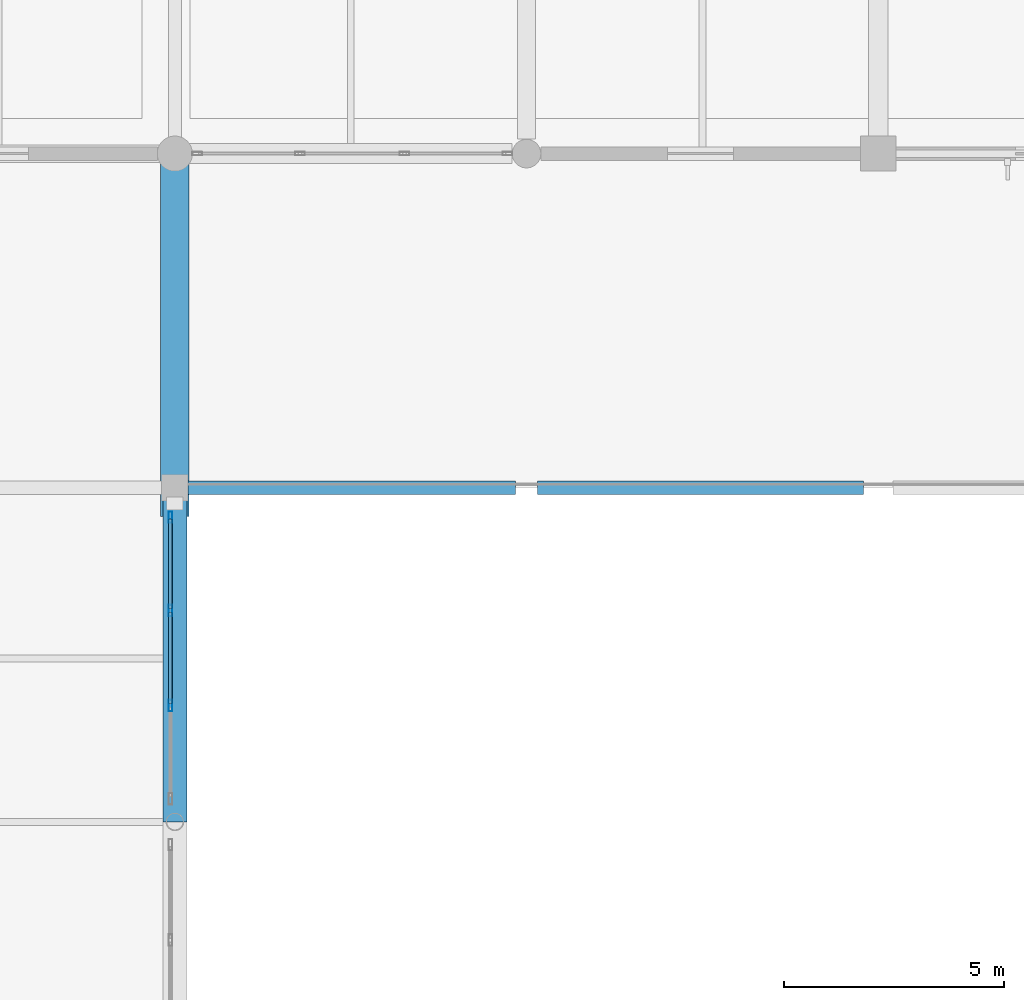
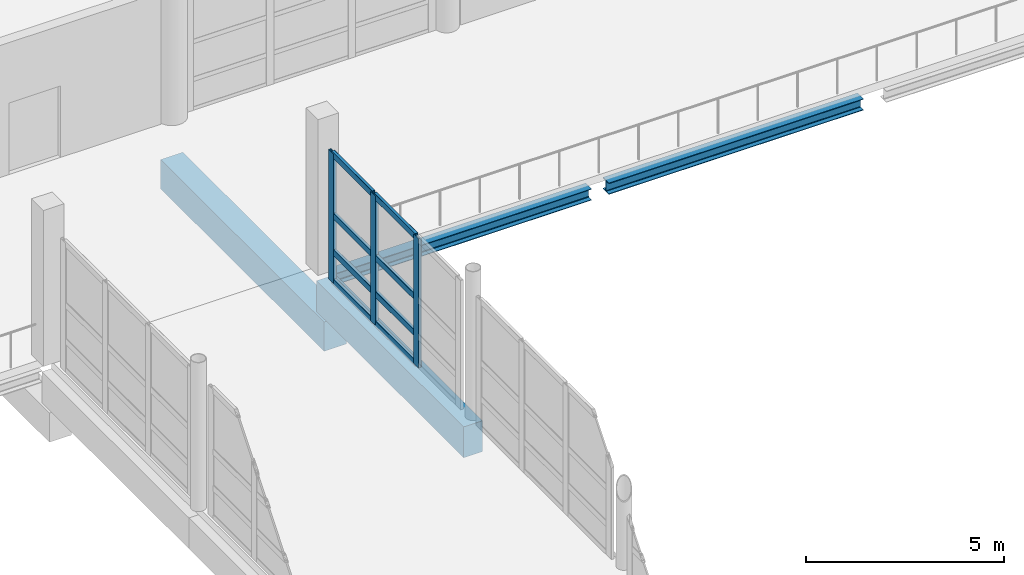
# One storey, part 39 of 141: 11 members, 4 beams, 1 element without a shape of its own.
"""IFC4 building model written with IfcOpenShell, lengths in metres."""

from ifc_helpers import new_model, si_unit, direction, frame, origin, origin_2d, place, context, subcontext, project, spatial, rectangle, hollow_rectangle, i_section, extrude, material, material_profile, profile_set, type_object, element, aggregate, save


model = new_model("IFC4")

# Units and contexts
model_context = context("Model", 3, precision=1e-05, world=origin(), true_north=direction((0.0, 1.0)))
body_context = subcontext(model_context, "Body", "Model", "MODEL_VIEW")
ifc_project = project(units=[si_unit("LENGTHUNIT", "METRE"), si_unit("AREAUNIT", "SQUARE_METRE"), si_unit("VOLUMEUNIT", "CUBIC_METRE"), si_unit("PLANEANGLEUNIT", "RADIAN"), si_unit("MASSUNIT", "GRAM", prefix="KILO")], contexts=[model_context])

# Site, building, storey
site_placement = place(None, origin())
site = spatial("IfcSite", under=ifc_project, at=site_placement, CompositionType="ELEMENT")
building_placement = place(site_placement, origin())
building = spatial("IfcBuilding", under=site, at=building_placement, Name="Khelvaren Railside Concert Hall", CompositionType="ELEMENT")
storey_placement = place(building_placement, frame((0.0, 0.0, 10.199951171875)))
storey = spatial("IfcBuildingStorey", under=building, at=storey_placement, Name="L02", CompositionType="ELEMENT", Elevation=10.199951171875)

# Beam
ifc_material_1 = material(Name="Concrete C40/50", Category="concrete")
ifc_material_profile_1 = material_profile(ifc_material_1, rectangle(XDim=0.64990234375, YDim=0.89990234375, at=origin_2d()), Name="RCB 650x900")
ifc_profile_set_1 = profile_set([ifc_material_profile_1], Name="Concrete C40/50")
beam_type_1 = type_object("IfcBeamType", Name="BM18", PredefinedType="BEAM", material=ifc_profile_set_1)
beam_1_placement = place(storey_placement, frame((16.0, 67.75, -1.659912109375), z_axis=(0.0, 1.0, 0.0), x_axis=(-1.0, 0.0, 0.0)))
element("IfcBeam", 1, at=beam_1_placement, inside=storey, type_object=beam_type_1, Name="West Court Chamber Link Bridge L02 Seismic Corbel Seat 2", PredefinedType="BEAM", context=body_context, shape_type="SweptSolid", body=[
    extrude(rectangle(XDim=0.64990234375, YDim=0.89990234375, at=origin_2d()), origin(), (0.0, 0.0, 1.0), 8.25),
])

# Curtain wall, members
ifc_material_2 = material(Name="Acoustic laminated crystal facade glass", Category="glass")
curtain_wall_type = type_object("IfcCurtainWallType", Name="CW78", PredefinedType="USERDEFINED", material=ifc_material_2)
curtain_wall_placement = place(storey_placement, origin())
curtain_wall = element("IfcCurtainWall", 2, at=curtain_wall_placement, inside=storey, type_object=curtain_wall_type, Name="Unitised Curtain Wall CW-LB3-L02-E3", ObjectType="UNITISED CURTAIN WALL", PredefinedType="USERDEFINED")
ifc_material_3 = material(Name="Anodised architectural aluminium 6063-T6", Category="aluminium")
ifc_material_profile_2 = material_profile(ifc_material_3, hollow_rectangle(XDim=0.0849609375, YDim=0.260009765625, WallThickness=0.0048828125, InnerFilletRadius=0.0029296875, OuterFilletRadius=0.0048828125, at=origin_2d()), Name="CWM 85x260x5")
ifc_profile_set_2 = profile_set([ifc_material_profile_2], Name="Anodised architectural aluminium 6063-T6")
member_type_1 = type_object("IfcMemberType", Name="CWM40", PredefinedType="MULLION", material=ifc_profile_set_2)
member_1_placement = place(storey_placement, frame((15.89990234375, 67.7275390625, 0.0), z_axis=(0.0, 0.0, 1.0), x_axis=(1.0, 0.0, 0.0)))
member_1 = element("IfcMember", 3, at=member_1_placement, type_object=member_type_1, Name="CW78 mullion 1", PredefinedType="MULLION", context=body_context, shape_type="SweptSolid", body=[
    extrude(hollow_rectangle(XDim=0.0849609375, YDim=0.260009765625, WallThickness=0.0048828125, InnerFilletRadius=0.0029296875, OuterFilletRadius=0.0048828125, at=origin_2d()), origin(), (0.0, 0.0, 1.0), 3.97998046875),
])
member_2_placement = place(storey_placement, frame((15.89990234375, 65.606689453125, 0.0), z_axis=(0.0, 0.0, 1.0), x_axis=(1.0, 0.0, 0.0)))
member_2 = element("IfcMember", 4, at=member_2_placement, type_object=member_type_1, Name="CW78 mullion 2", PredefinedType="MULLION", context=body_context, shape_type="SweptSolid", body=[
    extrude(hollow_rectangle(XDim=0.0849609375, YDim=0.260009765625, WallThickness=0.0048828125, InnerFilletRadius=0.0029296875, OuterFilletRadius=0.0048828125, at=origin_2d()), origin(), (0.0, 0.0, 1.0), 3.97998046875),
])
member_3_placement = place(storey_placement, frame((15.89990234375, 63.443359375, 0.0), z_axis=(0.0, 0.0, 1.0), x_axis=(1.0, 0.0, 0.0)))
member_3 = element("IfcMember", 5, at=member_3_placement, type_object=member_type_1, Name="CW78 mullion 3", PredefinedType="MULLION", context=body_context, shape_type="SweptSolid", body=[
    extrude(hollow_rectangle(XDim=0.0849609375, YDim=0.260009765625, WallThickness=0.0048828125, InnerFilletRadius=0.0029296875, OuterFilletRadius=0.0048828125, at=origin_2d()), origin(), (0.0, 0.0, 1.0), 3.97998046875),
])
ifc_material_profile_3 = material_profile(ifc_material_3, hollow_rectangle(XDim=0.0849609375, YDim=0.18994140625, WallThickness=0.0048828125, InnerFilletRadius=0.0029296875, OuterFilletRadius=0.0048828125, at=origin_2d()), Name="CWT 85x190x5")
ifc_profile_set_3 = profile_set([ifc_material_profile_3], Name="Anodised architectural aluminium 6063-T6")
member_type_2 = type_object("IfcMemberType", Name="CWT31", PredefinedType="USERDEFINED", material=ifc_profile_set_3)
member_4_placement = place(storey_placement, frame((15.89990234375, 67.68505859375, 0.04248046875), z_axis=(0.0, -1.0, 0.0), x_axis=(1.0, 0.0, 0.0)))
member_4 = element("IfcMember", 6, at=member_4_placement, type_object=member_type_2, Name="CW78 transom 1.1", ObjectType="TRANSOM", PredefinedType="USERDEFINED", context=body_context, shape_type="SweptSolid", body=[
    extrude(hollow_rectangle(XDim=0.0849609375, YDim=0.18994140625, WallThickness=0.0048828125, InnerFilletRadius=0.0029296875, OuterFilletRadius=0.0048828125, at=origin_2d()), origin(), (0.0, 0.0, 1.0), 2.035888671875),
])
member_5_placement = place(storey_placement, frame((15.89990234375, 67.68505859375, 0.949951171875), z_axis=(0.0, -1.0, 0.0), x_axis=(1.0, 0.0, 0.0)))
member_5 = element("IfcMember", 7, at=member_5_placement, type_object=member_type_2, Name="CW78 transom 1.2", ObjectType="TRANSOM", PredefinedType="USERDEFINED", context=body_context, shape_type="SweptSolid", body=[
    extrude(hollow_rectangle(XDim=0.0849609375, YDim=0.18994140625, WallThickness=0.0048828125, InnerFilletRadius=0.0029296875, OuterFilletRadius=0.0048828125, at=origin_2d()), origin(), (0.0, 0.0, 1.0), 2.035888671875),
])
member_6_placement = place(storey_placement, frame((15.89990234375, 67.68505859375, 2.069580078125), z_axis=(0.0, -1.0, 0.0), x_axis=(1.0, 0.0, 0.0)))
member_6 = element("IfcMember", 8, at=member_6_placement, type_object=member_type_2, Name="CW78 transom 1.3", ObjectType="TRANSOM", PredefinedType="USERDEFINED", context=body_context, shape_type="SweptSolid", body=[
    extrude(hollow_rectangle(XDim=0.0849609375, YDim=0.18994140625, WallThickness=0.0048828125, InnerFilletRadius=0.0029296875, OuterFilletRadius=0.0048828125, at=origin_2d()), origin(), (0.0, 0.0, 1.0), 2.035888671875),
])
member_7_placement = place(storey_placement, frame((15.89990234375, 67.68505859375, 3.9375), z_axis=(0.0, -1.0, 0.0), x_axis=(1.0, 0.0, 0.0)))
member_7 = element("IfcMember", 9, at=member_7_placement, type_object=member_type_2, Name="CW78 transom 1.4", ObjectType="TRANSOM", PredefinedType="USERDEFINED", context=body_context, shape_type="SweptSolid", body=[
    extrude(hollow_rectangle(XDim=0.0849609375, YDim=0.18994140625, WallThickness=0.0048828125, InnerFilletRadius=0.0029296875, OuterFilletRadius=0.0048828125, at=origin_2d()), origin(), (0.0, 0.0, 1.0), 2.035888671875),
])
member_8_placement = place(storey_placement, frame((15.89990234375, 65.564208984375, 0.04248046875), z_axis=(0.0, -1.0, 0.0), x_axis=(1.0, 0.0, 0.0)))
member_8 = element("IfcMember", 10, at=member_8_placement, type_object=member_type_2, Name="CW78 transom 2.1", ObjectType="TRANSOM", PredefinedType="USERDEFINED", context=body_context, shape_type="SweptSolid", body=[
    extrude(hollow_rectangle(XDim=0.0849609375, YDim=0.18994140625, WallThickness=0.0048828125, InnerFilletRadius=0.0029296875, OuterFilletRadius=0.0048828125, at=origin_2d()), origin(), (0.0, 0.0, 1.0), 2.078369140625),
])
member_9_placement = place(storey_placement, frame((15.89990234375, 65.564208984375, 0.949951171875), z_axis=(0.0, -1.0, 0.0), x_axis=(1.0, 0.0, 0.0)))
member_9 = element("IfcMember", 11, at=member_9_placement, type_object=member_type_2, Name="CW78 transom 2.2", ObjectType="TRANSOM", PredefinedType="USERDEFINED", context=body_context, shape_type="SweptSolid", body=[
    extrude(hollow_rectangle(XDim=0.0849609375, YDim=0.18994140625, WallThickness=0.0048828125, InnerFilletRadius=0.0029296875, OuterFilletRadius=0.0048828125, at=origin_2d()), origin(), (0.0, 0.0, 1.0), 2.078369140625),
])
member_10_placement = place(storey_placement, frame((15.89990234375, 65.564208984375, 2.069580078125), z_axis=(0.0, -1.0, 0.0), x_axis=(1.0, 0.0, 0.0)))
member_10 = element("IfcMember", 12, at=member_10_placement, type_object=member_type_2, Name="CW78 transom 2.3", ObjectType="TRANSOM", PredefinedType="USERDEFINED", context=body_context, shape_type="SweptSolid", body=[
    extrude(hollow_rectangle(XDim=0.0849609375, YDim=0.18994140625, WallThickness=0.0048828125, InnerFilletRadius=0.0029296875, OuterFilletRadius=0.0048828125, at=origin_2d()), origin(), (0.0, 0.0, 1.0), 2.078369140625),
])
member_11_placement = place(storey_placement, frame((15.89990234375, 65.564208984375, 3.9375), z_axis=(0.0, -1.0, 0.0), x_axis=(1.0, 0.0, 0.0)))
member_11 = element("IfcMember", 13, at=member_11_placement, type_object=member_type_2, Name="CW78 transom 2.4", ObjectType="TRANSOM", PredefinedType="USERDEFINED", context=body_context, shape_type="SweptSolid", body=[
    extrude(hollow_rectangle(XDim=0.0849609375, YDim=0.18994140625, WallThickness=0.0048828125, InnerFilletRadius=0.0029296875, OuterFilletRadius=0.0048828125, at=origin_2d()), origin(), (0.0, 0.0, 1.0), 2.078369140625),
])
aggregate(curtain_wall, [member_1, member_2, member_3, member_4, member_5, member_6, member_7, member_8, member_9, member_10, member_11])

# Beams
ifc_material_profile_4 = material_profile(ifc_material_1, rectangle(XDim=0.550048828125, YDim=0.949951171875, at=origin_2d()), Name="RCB 550x950")
ifc_profile_set_4 = profile_set([ifc_material_profile_4], Name="Concrete C40/50")
beam_type_2 = type_object("IfcBeamType", Name="GR75", PredefinedType="T_BEAM", material=ifc_profile_set_4)
beam_2_placement = place(storey_placement, frame((16.0, 60.800048828125, -0.71484375), z_axis=(0.0, 1.0, 0.0), x_axis=(-1.0, 0.0, 0.0)))
element("IfcBeam", 14, at=beam_2_placement, inside=storey, type_object=beam_type_2, Name="West Court Chamber Link Bridge L02 Bridge Girder 2.3", PredefinedType="T_BEAM", context=body_context, shape_type="SweptSolid", body=[
    extrude(rectangle(XDim=0.550048828125, YDim=0.949951171875, at=origin_2d()), origin(), (0.0, 0.0, 1.0), 7.419921875),
])
ifc_material_4 = material(Name="Steel S355", Category="steel")
ifc_material_profile_5 = material_profile(ifc_material_4, i_section(OverallWidth=0.300048828125, OverallDepth=0.35009765625, WebThickness=0.010009765625, FlangeThickness=0.017578125, FilletRadius=0.027099609375, at=origin_2d()), Name="HEA 360")
ifc_profile_set_5 = profile_set([ifc_material_profile_5], Name="Steel S355")
beam_type_3 = type_object("IfcBeamType", Name="SP38", PredefinedType="SPANDREL", material=ifc_profile_set_5)
beam_3_placement = place(storey_placement, frame((16.300048828125, 68.39990234375, -0.4150390625), z_axis=(1.0, 0.0, 0.0), x_axis=(0.0, 1.0, 0.0)))
element("IfcBeam", 15, at=beam_3_placement, inside=storey, type_object=beam_type_3, Name="V4 L02 Terrace Edge Spandrel 16", PredefinedType="SPANDREL", context=body_context, shape_type="SweptSolid", body=[
    extrude(i_section(OverallWidth=0.300048828125, OverallDepth=0.35009765625, WebThickness=0.010009765625, FlangeThickness=0.017578125, FilletRadius=0.027099609375, at=origin_2d()), origin(), (0.0, 0.0, 1.0), 7.449951171875),
])
beam_4_placement = place(storey_placement, frame((24.25, 68.39990234375, -0.4150390625), z_axis=(1.0, 0.0, 0.0), x_axis=(0.0, 1.0, 0.0)))
element("IfcBeam", 16, at=beam_4_placement, inside=storey, type_object=beam_type_3, Name="V4 L02 Terrace Edge Spandrel 17", PredefinedType="SPANDREL", context=body_context, shape_type="SweptSolid", body=[
    extrude(i_section(OverallWidth=0.300048828125, OverallDepth=0.35009765625, WebThickness=0.010009765625, FlangeThickness=0.017578125, FilletRadius=0.027099609375, at=origin_2d()), origin(), (0.0, 0.0, 1.0), 7.4140625),
])

save(model, "model.ifc")
